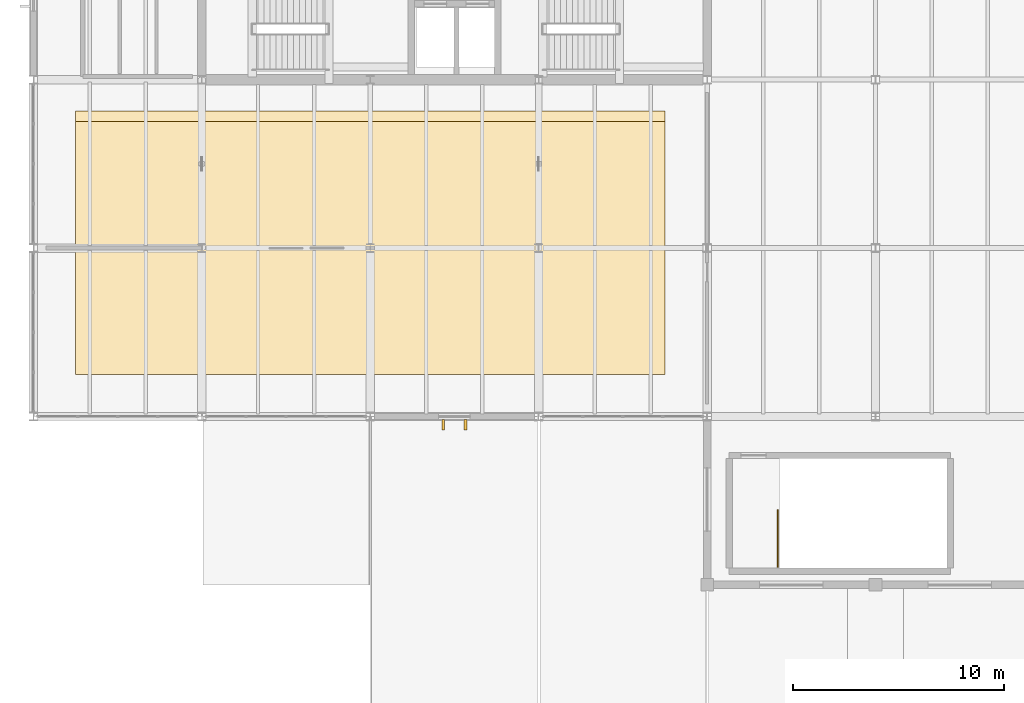
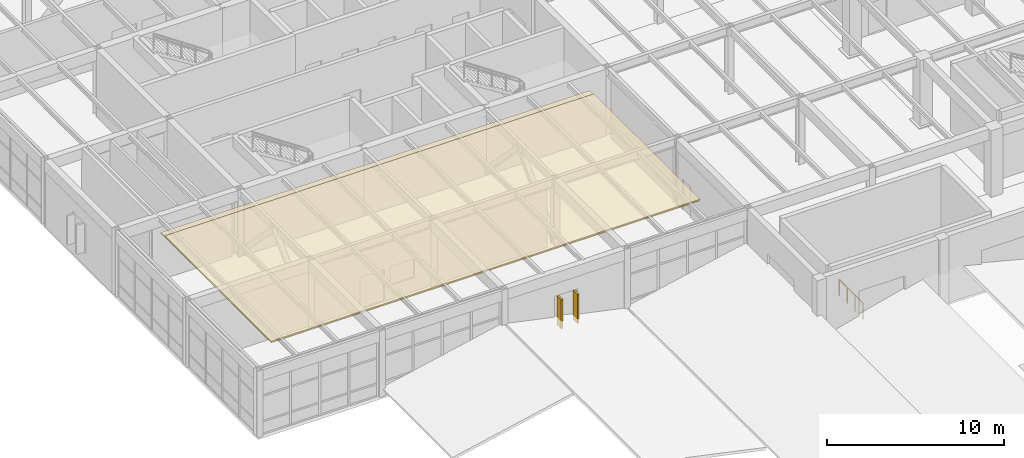
# One storey, part 50 of 60: 2 coverings, 2 shading devices, 1 railing.
"""IFC4 building model written with IfcOpenShell, lengths in metres."""

from ifc_helpers import new_model, si_unit, direction, frame, origin, origin_2d, place, context, subcontext, project, spatial, polyline, rectangle, circle, outline, extrude, material, layer, layer_set, type_object, element, save


model = new_model("IFC4")

# Units and contexts
model_context = context("Model", 3, precision=1e-05, world=origin(), true_north=direction((0.0, 1.0)))
body_context = subcontext(model_context, "Body", "Model", "MODEL_VIEW")
ifc_project = project(units=[si_unit("LENGTHUNIT", "METRE"), si_unit("AREAUNIT", "SQUARE_METRE"), si_unit("VOLUMEUNIT", "CUBIC_METRE"), si_unit("PLANEANGLEUNIT", "RADIAN"), si_unit("MASSUNIT", "GRAM", prefix="KILO")], contexts=[model_context])

# Site, building, storey
site_placement = place(None, origin())
site = spatial("IfcSite", under=ifc_project, at=site_placement, CompositionType="ELEMENT")
building_placement = place(site_placement, origin())
building = spatial("IfcBuilding", under=site, at=building_placement, Name="Varnela Railside Interchange", CompositionType="ELEMENT")
storey_placement = place(building_placement, frame((0.0, 0.0, 6.300048828125)))
storey = spatial("IfcBuildingStorey", under=building, at=storey_placement, Name="L01", CompositionType="ELEMENT", Elevation=6.300048828125)

# Coverings
ifc_material_1 = material(Name="Concrete C40 precast", Category="concrete")
ifc_layer_1 = layer(ifc_material_1, 0.050048828125)
ifc_layer_set_1 = layer_set([ifc_layer_1], Name="Concrete C40 precast")
covering_type_1 = type_object("IfcCoveringType", Name="Board-Formed Concrete Cladding Liner CV-CLD", PredefinedType="CLADDING", material=ifc_layer_set_1)
covering_1_placement = place(storey_placement, frame((0.0, 0.0, 4.469970703125)))
element("IfcCovering", 1, at=covering_1_placement, inside=storey, type_object=covering_type_1, Name="Board-Formed Concrete Cladding Liner CV-CLD", PredefinedType="CLADDING", context=body_context, shape_type="SweptSolid", body=[
    extrude(outline(polyline([(6.0, 40.0), (34.0, 40.0), (34.0, 52.5), (6.0, 52.5), (6.0, 40.0)])), origin(), (0.0, 0.0, 1.0), 0.050048828125),
])
ifc_material_2 = material(Name="Mineral wool acoustic")
ifc_layer_2 = layer(ifc_material_2, 0.080078125)
ifc_layer_set_2 = layer_set([ifc_layer_2], Name="Mineral wool acoustic")
covering_type_2 = type_object("IfcCoveringType", Name="Mineral Wool Soffit Insulation CV-INS", PredefinedType="INSULATION", material=ifc_layer_set_2)
covering_2_placement = place(storey_placement, frame((0.0, 0.0, 4.52001953125)))
element("IfcCovering", 2, at=covering_2_placement, inside=storey, type_object=covering_type_2, Name="Mineral Wool Soffit Insulation CV-INS", PredefinedType="INSULATION", context=body_context, shape_type="SweptSolid", body=[
    extrude(outline(polyline([(6.0, 40.0), (34.0, 40.0), (34.0, 52.0), (6.0, 52.0), (6.0, 40.0)])), origin(), (0.0, 0.0, 1.0), 0.079833984375),
])

# Shading devices
shading_device_type = type_object("IfcShadingDeviceType", Name="Paulista Vertical Brise-Soleil BS-01", PredefinedType="USERDEFINED", material=ifc_material_1)
for number, where, z_axis, x_axis, name in (
    (3, (24.52490234375, 37.614990234375, 0.949951171875), (0.0, 0.0, 1.0), (0.0, -1.0, 0.0), "Paulista Vertical Brise-Soleil BS-01 (L01)"),
    (4, (23.47509765625, 37.614990234375, 0.949951171875), (0.0, 0.0, 1.0), (0.0, -1.0, 0.0), "Paulista Vertical Brise-Soleil BS-01 (L01)"),
):
    element("IfcShadingDevice", number, at=place(storey_placement, frame(where, z_axis=z_axis, x_axis=x_axis)), inside=storey, type_object=shading_device_type, Name=name, ObjectType="FIN", PredefinedType="USERDEFINED", context=body_context, shape_type="SweptSolid", body=[
        extrude(rectangle(XDim=0.5, YDim=0.1201171875, at=origin_2d()), origin(), (0.0, 0.0, 1.0), 2.0),
    ])

# Railing
ifc_material_3 = material(Name="Steel AR 350 (350 MPa)", Category="steel")
railing_type = type_object("IfcRailingType", Name="Stair Well & Landing Guard GR-02", PredefinedType="GUARDRAIL", material=ifc_material_3)
railing_placement = place(storey_placement, frame((39.360107421875, 30.860107421875, 0.0)))
element("IfcRailing", 5, at=railing_placement, inside=storey, type_object=railing_type, Name="Stair Well Arrival Guard ST-M1 on L01 (RL-0280)", PredefinedType="GUARDRAIL", context=body_context, shape_type="SweptSolid", body=[
    extrude(circle(Radius=0.02392578125, at=origin_2d()), frame((0.0, 0.0, 1.09619140625), z_axis=(0.0, 1.0, 0.0), x_axis=(-1.0, 0.0, 0.0)), (0.0, 0.0, 1.0), 2.68994140625),
    extrude(circle(Radius=0.02099609375, at=origin_2d()), origin(), (0.0, 0.0, 1.0), 1.072021484375),
    extrude(circle(Radius=0.02099609375, at=origin_2d()), frame((0.0, 0.896728515625, 0.0)), (0.0, 0.0, 1.0), 1.072021484375),
    extrude(circle(Radius=0.02099609375, at=origin_2d()), frame((0.0, 1.793212890625, 0.0)), (0.0, 0.0, 1.0), 1.072021484375),
    extrude(circle(Radius=0.02099609375, at=origin_2d()), frame((0.0, 2.68994140625, 0.0)), (0.0, 0.0, 1.0), 1.072021484375),
])

save(model, "model.ifc")
